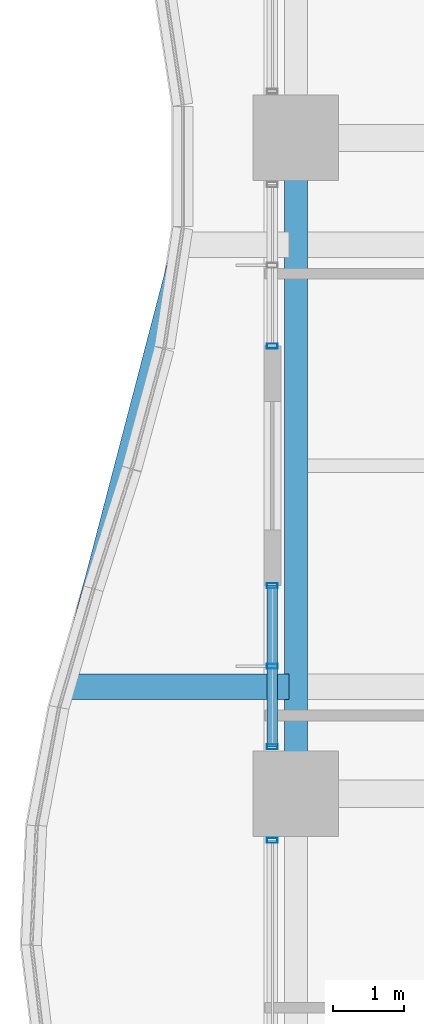
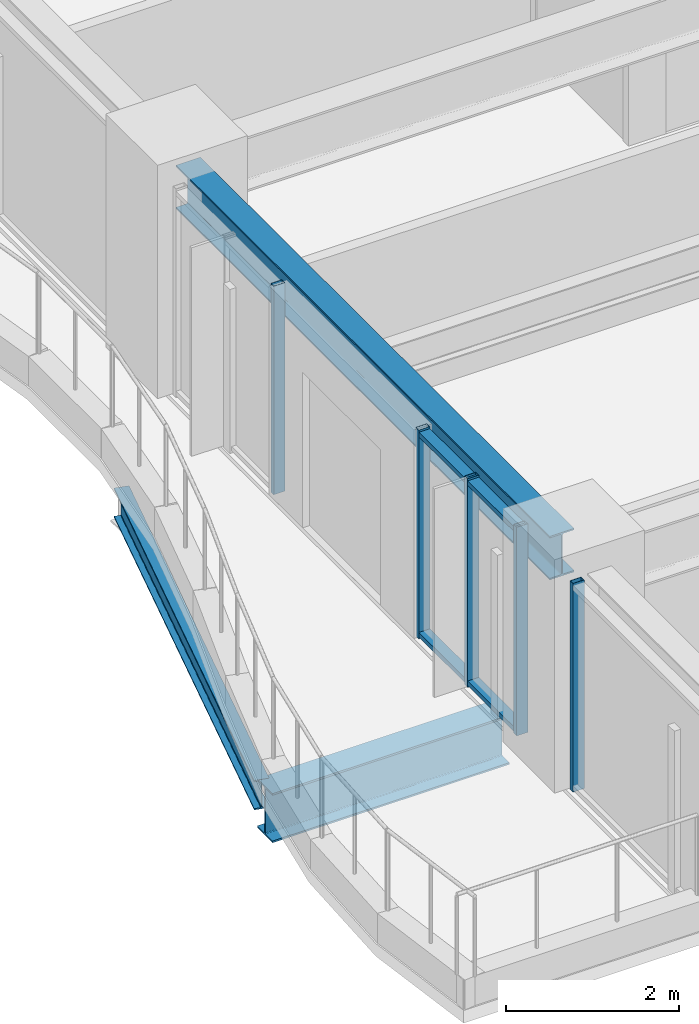
# One storey, part 7 of 38: 7 members, 3 beams, 3 elements without a shape of their own.
"""IFC4 building model written with IfcOpenShell, lengths in metres."""

from ifc_helpers import new_model, si_unit, direction, frame, origin, origin_2d, place, context, subcontext, project, spatial, hollow_rectangle, i_section, extrude, material, material_profile, profile_set, type_object, element, aggregate, save


model = new_model("IFC4")

# Units and contexts
model_context = context("Model", 3, precision=1e-05, world=origin(), true_north=direction((0.0, 1.0)))
body_context = subcontext(model_context, "Body", "Model", "MODEL_VIEW")
ifc_project = project(units=[si_unit("LENGTHUNIT", "METRE"), si_unit("AREAUNIT", "SQUARE_METRE"), si_unit("VOLUMEUNIT", "CUBIC_METRE"), si_unit("PLANEANGLEUNIT", "RADIAN"), si_unit("MASSUNIT", "GRAM", prefix="KILO")], contexts=[model_context])

# Site, building, storey
site_placement = place(None, origin())
site = spatial("IfcSite", under=ifc_project, at=site_placement, CompositionType="ELEMENT")
building_placement = place(site_placement, origin())
building = spatial("IfcBuilding", under=site, at=building_placement, Name="Kolvaren Belvedere", CompositionType="ELEMENT")
storey_placement = place(building_placement, frame((0.0, 0.0, 60.10009765625)))
storey = spatial("IfcBuildingStorey", under=building, at=storey_placement, Name="L17", CompositionType="ELEMENT", Elevation=60.10009765625)

# Beams
ifc_material_1 = material(Name="Structural steel ASTM A992 Grade 50", Category="steel")
ifc_material_profile_1 = material_profile(ifc_material_1, i_section(OverallWidth=0.35498046875, OverallDepth=0.696044921875, WebThickness=0.015380859375, FlangeThickness=0.02490234375, FilletRadius=0.02197265625, at=origin_2d()), Name="W27X146")
ifc_profile_set_1 = profile_set([ifc_material_profile_1], Name="Structural steel ASTM A992 Grade 50")
beam_type_1 = type_object("IfcBeamType", Name="BM-CANT-BAL", PredefinedType="BEAM", material=ifc_profile_set_1)
beam_1_placement = place(storey_placement, frame((-21.64501953125, -3.10009765625, -0.588134765625), z_axis=(-1.0, 0.0, 0.0), x_axis=(0.0, -1.0, 0.0)))
element("IfcBeam", 1, at=beam_1_placement, inside=storey, type_object=beam_type_1, Name="L17 Planted Balcony Cantilever BAL-W-1", PredefinedType="BEAM", context=body_context, shape_type="SweptSolid", body=[
    extrude(i_section(OverallWidth=0.35498046875, OverallDepth=0.696044921875, WebThickness=0.015380859375, FlangeThickness=0.02490234375, FilletRadius=0.02197265625, at=origin_2d()), origin(), (0.0, 0.0, 1.0), 3.168212890625),
])
ifc_material_2 = material(Name="Structural steel ASTM A992 Grade 50", Category="steel")
ifc_material_profile_2 = material_profile(ifc_material_2, i_section(OverallWidth=0.180908203125, OverallDepth=0.4169921875, WebThickness=0.010986328125, FlangeThickness=0.018310546875, FilletRadius=0.013916015625, at=origin_2d()), Name="W16X57")
ifc_profile_set_2 = profile_set([ifc_material_profile_2], Name="Structural steel ASTM A992 Grade 50")
beam_type_2 = type_object("IfcBeamType", Name="BM-EDGE-W16X57", PredefinedType="BEAM", material=ifc_profile_set_2)
beam_2_placement = place(storey_placement, frame((-24.77783203125, -2.964599609375, -0.448486328125), z_axis=(0.25266515985, 0.9675537799, 0.0), x_axis=(-0.9675537799, 0.25266515985, 0.0)))
element("IfcBeam", 2, at=beam_2_placement, inside=storey, type_object=beam_type_2, Name="L17 Balcony Tip Header Beam BAL-W", PredefinedType="BEAM", context=body_context, shape_type="SweptSolid", body=[
    extrude(i_section(OverallWidth=0.180908203125, OverallDepth=0.4169921875, WebThickness=0.010986328125, FlangeThickness=0.018310546875, FilletRadius=0.013916015625, at=origin_2d()), origin(), (0.0, 0.0, 1.0), 6.1279296875),
])
ifc_material_3 = material(Name="Structural steel ASTM A992 Grade 50", Category="steel")
ifc_material_profile_3 = material_profile(ifc_material_3, i_section(OverallWidth=0.324951171875, OverallDepth=0.615966796875, WebThickness=0.013916015625, FlangeThickness=0.021484375, FilletRadius=0.02001953125, at=origin_2d()), Name="W24X117")
ifc_profile_set_3 = profile_set([ifc_material_profile_3], Name="Structural steel ASTM A992 Grade 50")
beam_type_3 = type_object("IfcBeamType", Name="BM-SPAN-W24X117", PredefinedType="SPANDREL", material=ifc_profile_set_3)
beam_3_placement = place(storey_placement, frame((-21.550048828125, 4.330078125, 2.641845703125), z_axis=(0.0, -1.0, 0.0), x_axis=(1.0, 0.0, 0.0)))
element("IfcBeam", 3, at=beam_3_placement, inside=storey, type_object=beam_type_3, Name="L17 Perimeter Spandrel W3-W2", PredefinedType="SPANDREL", context=body_context, shape_type="SweptSolid", body=[
    extrude(i_section(OverallWidth=0.324951171875, OverallDepth=0.615966796875, WebThickness=0.013916015625, FlangeThickness=0.021484375, FilletRadius=0.02001953125, at=origin_2d()), origin(), (0.0, 0.0, 1.0), 8.66015625),
])

# Curtain wall, member
ifc_material_4 = material(Name="Anodised pale-metal aluminium AA 6063-T6", Category="aluminium")
curtain_wall_type = type_object("IfcCurtainWallType", Name="CW-Z1-LOW", PredefinedType="NOTDEFINED", material=ifc_material_4)
curtain_wall_1_placement = place(storey_placement, origin())
curtain_wall_1 = element("IfcCurtainWall", 4, at=curtain_wall_1_placement, inside=storey, type_object=curtain_wall_type, Name="L17 Unitised Curtain Wall FCW-L17-W1-B1", PredefinedType="NOTDEFINED")
ifc_material_5 = material(Name="Anodised pale-metal aluminium AA 6063-T6", Category="aluminium")
ifc_material_profile_4 = material_profile(ifc_material_5, hollow_rectangle(XDim=0.070068359375, YDim=0.14990234375, WallThickness=0.004150390625, at=origin_2d()), Name="ALU-MUL-150X70")
ifc_profile_set_4 = profile_set([ifc_material_profile_4], Name="Anodised pale-metal aluminium AA 6063-T6")
member_type_1 = type_object("IfcMemberType", Name="CW-MUL-150", PredefinedType="MULLION", material=ifc_profile_set_4)
member_1_placement = place(storey_placement, frame((-21.8798828125, -5.2548828125, 0.0), z_axis=(0.0, 0.0, 1.0), x_axis=(0.0, 1.0, 0.0)))
member_1 = element("IfcMember", 5, at=member_1_placement, type_object=member_type_1, Name="FCW-L17-W1-B1 Unitised Mullion 3", PredefinedType="MULLION", context=body_context, shape_type="SweptSolid", body=[
    extrude(hollow_rectangle(XDim=0.070068359375, YDim=0.14990234375, WallThickness=0.004150390625, at=origin_2d()), origin(), (0.0, 0.0, 1.0), 2.949951171875),
])
aggregate(curtain_wall_1, [member_1])

# Curtain wall, members
curtain_wall_2_placement = place(storey_placement, origin())
curtain_wall_2 = element("IfcCurtainWall", 6, at=curtain_wall_2_placement, inside=storey, type_object=curtain_wall_type, Name="L17 Unitised Curtain Wall FCW-L17-W1-B2", PredefinedType="NOTDEFINED")
member_2_placement = place(storey_placement, frame((-21.8798828125, -3.945068359375, 0.0), z_axis=(0.0, 0.0, 1.0), x_axis=(0.0, 1.0, 0.0)))
member_2 = element("IfcMember", 7, at=member_2_placement, type_object=member_type_1, Name="FCW-L17-W1-B2 Unitised Mullion 1", PredefinedType="MULLION", context=body_context, shape_type="SweptSolid", body=[
    extrude(hollow_rectangle(XDim=0.070068359375, YDim=0.14990234375, WallThickness=0.004150390625, at=origin_2d()), origin(), (0.0, 0.0, 1.0), 2.949951171875),
])
member_3_placement = place(storey_placement, frame((-21.8798828125, -2.8125, 0.0), z_axis=(0.0, 0.0, 1.0), x_axis=(0.0, 1.0, 0.0)))
member_3 = element("IfcMember", 8, at=member_3_placement, type_object=member_type_1, Name="FCW-L17-W1-B2 Unitised Mullion 2", PredefinedType="MULLION", context=body_context, shape_type="SweptSolid", body=[
    extrude(hollow_rectangle(XDim=0.070068359375, YDim=0.14990234375, WallThickness=0.004150390625, at=origin_2d()), origin(), (0.0, 0.0, 1.0), 2.949951171875),
])
member_4_placement = place(storey_placement, frame((-21.8798828125, -1.679931640625, 0.0), z_axis=(0.0, 0.0, 1.0), x_axis=(0.0, 1.0, 0.0)))
member_4 = element("IfcMember", 9, at=member_4_placement, type_object=member_type_1, Name="FCW-L17-W1-B2 Unitised Mullion 3", PredefinedType="MULLION", context=body_context, shape_type="SweptSolid", body=[
    extrude(hollow_rectangle(XDim=0.070068359375, YDim=0.14990234375, WallThickness=0.004150390625, at=origin_2d()), origin(), (0.0, 0.0, 1.0), 2.949951171875),
])

# Curtain wall, member
curtain_wall_3_placement = place(storey_placement, origin())
curtain_wall_3 = element("IfcCurtainWall", 10, at=curtain_wall_3_placement, inside=storey, type_object=curtain_wall_type, Name="L17 Unitised Curtain Wall FCW-L17-W2-B1", PredefinedType="NOTDEFINED")
member_5_placement = place(storey_placement, frame((-21.8798828125, 1.679931640625, 0.0), z_axis=(0.0, 0.0, 1.0), x_axis=(0.0, 1.0, 0.0)))
member_5 = element("IfcMember", 11, at=member_5_placement, type_object=member_type_1, Name="FCW-L17-W2-B1 Unitised Mullion 1", PredefinedType="MULLION", context=body_context, shape_type="SweptSolid", body=[
    extrude(hollow_rectangle(XDim=0.070068359375, YDim=0.14990234375, WallThickness=0.004150390625, at=origin_2d()), origin(), (0.0, 0.0, 1.0), 2.949951171875),
])
aggregate(curtain_wall_3, [member_5])

# Member
ifc_material_6 = material(Name="Anodised pale-metal aluminium AA 6063-T6", Category="aluminium")
ifc_material_profile_5 = material_profile(ifc_material_6, hollow_rectangle(XDim=0.06494140625, YDim=0.14990234375, WallThickness=0.00390625, at=origin_2d()), Name="ALU-TRN-150X65")
ifc_profile_set_5 = profile_set([ifc_material_profile_5], Name="Anodised pale-metal aluminium AA 6063-T6")
member_type_2 = type_object("IfcMemberType", Name="CW-TRN-150", PredefinedType="USERDEFINED", material=ifc_profile_set_5)
member_6_placement = place(storey_placement, frame((-21.8798828125, -3.945068359375, 0.059814453125), z_axis=(0.0, 1.0, 0.0), x_axis=(0.0, 0.0, 1.0)))
member_6 = element("IfcMember", 12, at=member_6_placement, type_object=member_type_2, Name="FCW-L17-W1-B2 Sill Transom", ObjectType="TRANSOM", PredefinedType="USERDEFINED", context=body_context, shape_type="SweptSolid", body=[
    extrude(hollow_rectangle(XDim=0.06494140625, YDim=0.14990234375, WallThickness=0.00390625, at=origin_2d()), origin(), (0.0, 0.0, 1.0), 2.26513671875),
])

member_7_placement = place(storey_placement, frame((-21.8798828125, -3.945068359375, 2.889892578125), z_axis=(0.0, 1.0, 0.0), x_axis=(0.0, 0.0, 1.0)))
member_7 = element("IfcMember", 13, at=member_7_placement, type_object=member_type_2, Name="FCW-L17-W1-B2 Head Transom", ObjectType="TRANSOM", PredefinedType="USERDEFINED", context=body_context, shape_type="SweptSolid", body=[
    extrude(hollow_rectangle(XDim=0.06494140625, YDim=0.14990234375, WallThickness=0.00390625, at=origin_2d()), origin(), (0.0, 0.0, 1.0), 2.26513671875),
])

aggregate(curtain_wall_2, [member_2, member_3, member_4, member_6, member_7])

save(model, "model.ifc")
